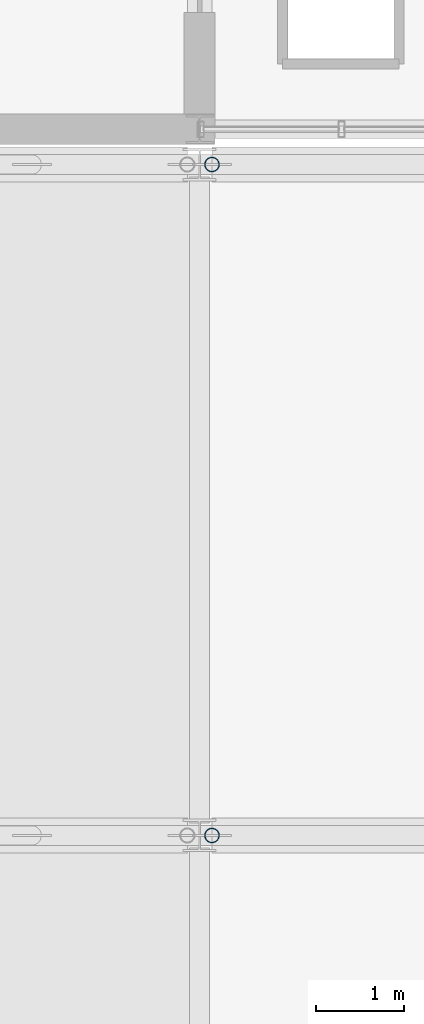
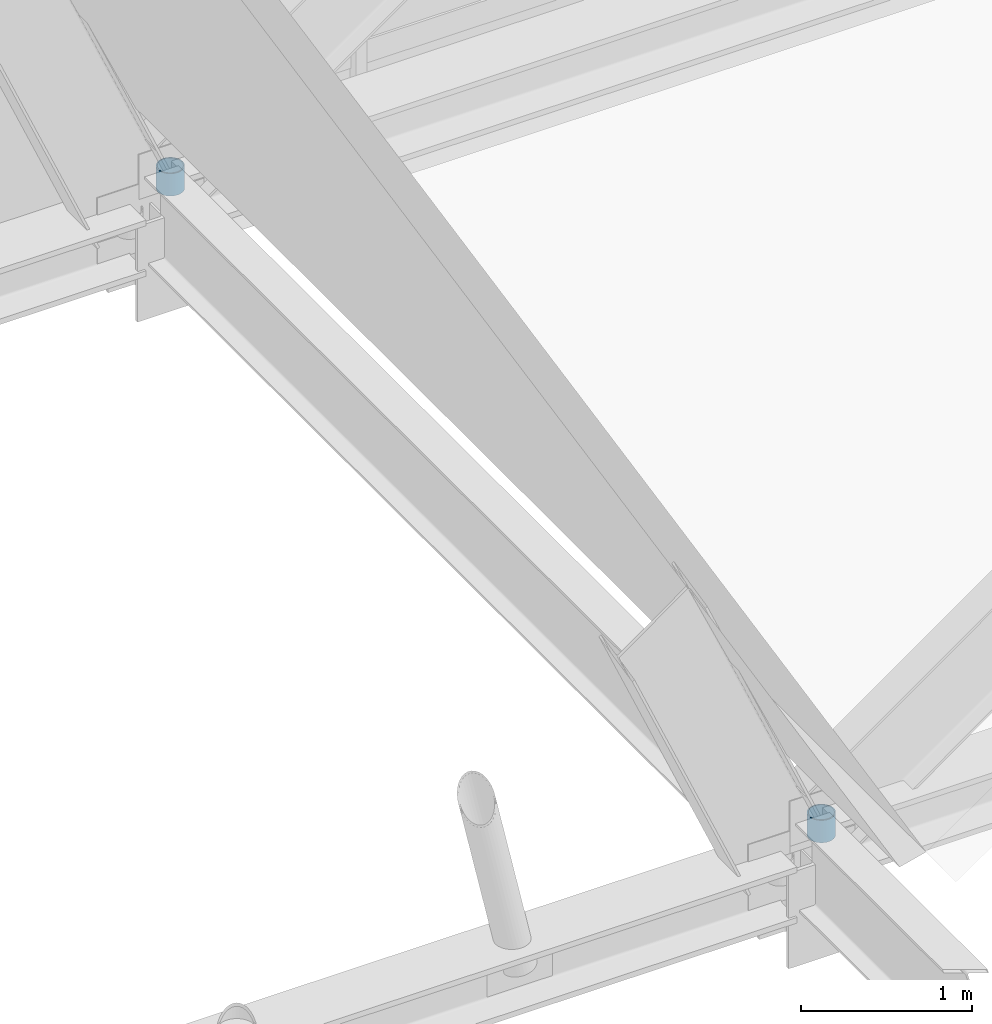
# One storey, part 67 of 100: 2 members.
"""IFC4 building model written with IfcOpenShell, lengths in metres."""

from ifc_helpers import new_model, si_unit, direction, frame, origin, origin_2d, place, context, subcontext, project, spatial, hollow_circle, extrude, material, material_profile, profile_set, type_object, element, save


model = new_model("IFC4")

# Units and contexts
model_context = context("Model", 3, precision=1e-05, world=origin(), true_north=direction((0.0, 1.0)))
body_context = subcontext(model_context, "Body", "Model", "MODEL_VIEW")
ifc_project = project(units=[si_unit("LENGTHUNIT", "METRE"), si_unit("AREAUNIT", "SQUARE_METRE"), si_unit("VOLUMEUNIT", "CUBIC_METRE"), si_unit("PLANEANGLEUNIT", "RADIAN"), si_unit("MASSUNIT", "GRAM", prefix="KILO")], contexts=[model_context])

# Site, building, storey
site_placement = place(None, origin())
site = spatial("IfcSite", under=ifc_project, at=site_placement, CompositionType="ELEMENT")
building_placement = place(site_placement, origin())
building = spatial("IfcBuilding", under=site, at=building_placement, Name="Zulena Civic Courthouse", CompositionType="ELEMENT")
storey_placement = place(building_placement, frame((0.0, 0.0, 20.39990234375)))
storey = spatial("IfcBuildingStorey", under=building, at=storey_placement, Name="L04", CompositionType="ELEMENT", Elevation=20.39990234375)

# Members
ifc_material = material(Name="Steel ASTM A500 Grade C", Category="steel")
ifc_material_profile = material_profile(ifc_material, hollow_circle(Radius=0.083984375, WallThickness=0.00732421875, at=origin_2d()), Name="HSS6.625X0.312")
ifc_profile_set = profile_set([ifc_material_profile], Name="Steel ASTM A500 Grade C")
member_type = type_object("IfcMemberType", Name="RoofWeb_CHS6", PredefinedType="USERDEFINED", material=ifc_profile_set)
for number, where, z_axis, x_axis, name in (
    (1, (132.139892578125, 22.800048828125, 0.536376953125), (0.0, 0.0, 1.0), (1.0, 0.0, 0.0), "mem:fold:postW:06:22.8"),
    (2, (132.139892578125, 30.39990234375, 0.536376953125), (0.0, 0.0, 1.0), (1.0, 0.0, 0.0), "mem:fold:postW:06:30.4"),
):
    element("IfcMember", number, at=place(storey_placement, frame(where, z_axis=z_axis, x_axis=x_axis)), inside=storey, type_object=member_type, Name=name, ObjectType="ROOF TRUSS", PredefinedType="USERDEFINED", context=body_context, shape_type="SweptSolid", body=[
        extrude(hollow_circle(Radius=0.083984375, WallThickness=0.00732421875, at=origin_2d()), origin(), (0.0, 0.0, 1.0), 0.16015625),
    ])

save(model, "model.ifc")
